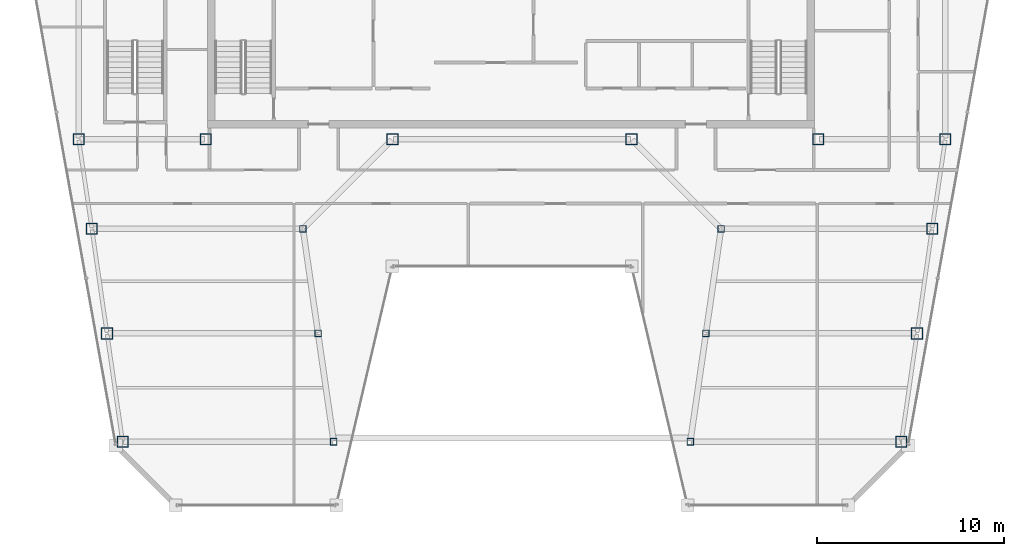
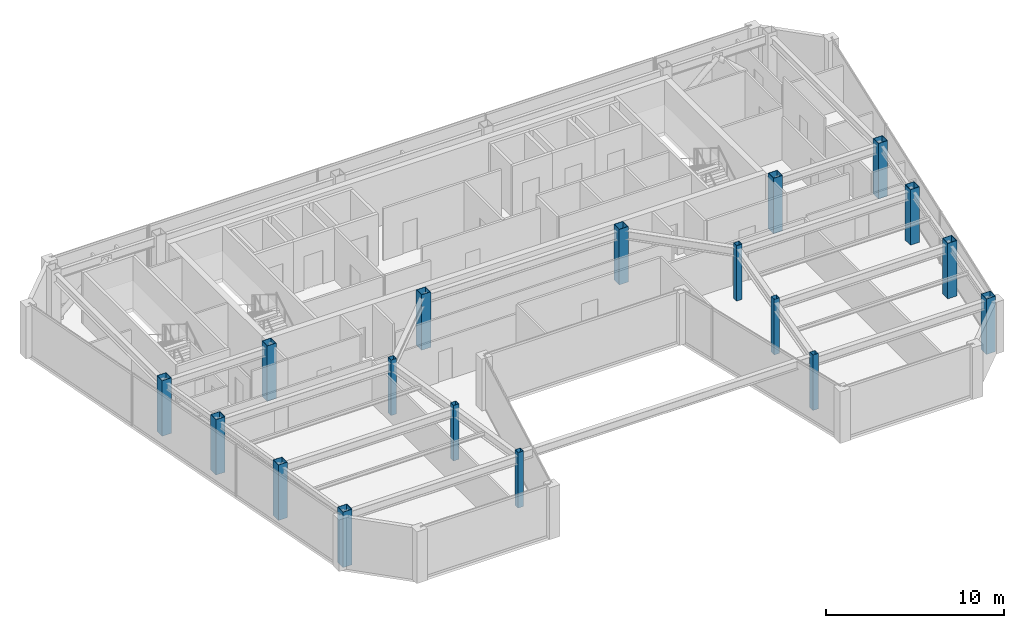
# One storey, part 1 of 32: 18 columns.
"""IFC4 building model written with IfcOpenShell, lengths in metres."""

from ifc_helpers import new_model, si_unit, direction, frame, origin, origin_2d, place, context, subcontext, project, spatial, hollow_rectangle, extrude, material, material_profile, profile_set, type_object, element, save


model = new_model("IFC4")

# Units and contexts
model_context = context("Model", 3, precision=1e-05, world=origin(), true_north=direction((0.0, 1.0)))
body_context = subcontext(model_context, "Body", "Model", "MODEL_VIEW")
ifc_project = project(units=[si_unit("LENGTHUNIT", "METRE"), si_unit("AREAUNIT", "SQUARE_METRE"), si_unit("VOLUMEUNIT", "CUBIC_METRE"), si_unit("PLANEANGLEUNIT", "RADIAN"), si_unit("MASSUNIT", "GRAM", prefix="KILO")], contexts=[model_context])

# Site, building, storey
site_placement = place(None, origin())
site = spatial("IfcSite", under=ifc_project, at=site_placement, CompositionType="ELEMENT")
building_placement = place(site_placement, origin())
building = spatial("IfcBuilding", under=site, at=building_placement, Name="Saevonmaru Cultural Tower", CompositionType="ELEMENT")
storey_placement = place(building_placement, frame((0.0, 0.0, 264.800048828125)))
storey = spatial("IfcBuildingStorey", under=building, at=storey_placement, Name="L62", CompositionType="ELEMENT", Elevation=264.800048828125)

# Columns
ifc_material = material(Name="Steel SM355", Category="steel")
ifc_material_profile_1 = material_profile(ifc_material, hollow_rectangle(XDim=0.60009765625, YDim=0.60009765625, WallThickness=0.028076171875, at=origin_2d()), Name="BOX-600x600x28")
ifc_profile_set_1 = profile_set([ifc_material_profile_1], Name="Steel SM355")
column_type_1 = type_object("IfcColumnType", Name="COL-BOX-600", PredefinedType="COLUMN", material=ifc_profile_set_1)
for number, where, z_axis, x_axis, name in (
    (1, (6.800048828125, 42.39990234375, 0.0), (0.0, 0.0, 1.0), (1.0, 0.0, 0.0), "L62 Column TC-S1C"),
    (2, (13.60009765625, 42.39990234375, 0.0), (0.0, 0.0, 1.0), (1.0, 0.0, 0.0), "L62 Column TC-S2C"),
    (3, (23.60009765625, 42.39990234375, 0.0), (0.0, 0.0, 1.0), (1.0, 0.0, 0.0), "L62 Column TC-S3C"),
    (4, (36.39990234375, 42.39990234375, 0.0), (0.0, 0.0, 1.0), (1.0, 0.0, 0.0), "L62 Column TC-S4C"),
    (5, (46.39990234375, 42.39990234375, 0.0), (0.0, 0.0, 1.0), (1.0, 0.0, 0.0), "L62 Column TC-S5C"),
    (6, (53.199951171875, 42.39990234375, 0.0), (0.0, 0.0, 1.0), (1.0, 0.0, 0.0), "L62 Column TC-S6C"),
    (7, (9.154052734375, 26.199951171875, 0.0), (0.0, 0.0, 1.0), (1.0, 0.0, 0.0), "L62 Column TC-WO-Y262"),
    (8, (50.845947265625, 26.199951171875, 0.0), (0.0, 0.0, 1.0), (1.0, 0.0, 0.0), "L62 Column TC-EO-Y262"),
    (9, (8.31689453125, 32.0, 0.0), (0.0, 0.0, 1.0), (1.0, 0.0, 0.0), "L62 Column TC-WO-Y320"),
    (10, (51.68310546875, 32.0, 0.0), (0.0, 0.0, 1.0), (1.0, 0.0, 0.0), "L62 Column TC-EO-Y320"),
    (11, (7.508056640625, 37.60009765625, 0.0), (0.0, 0.0, 1.0), (1.0, 0.0, 0.0), "L62 Column TC-WO-Y376"),
    (12, (52.491943359375, 37.60009765625, 0.0), (0.0, 0.0, 1.0), (1.0, 0.0, 0.0), "L62 Column TC-EO-Y376"),
):
    element("IfcColumn", number, at=place(storey_placement, frame(where, z_axis=z_axis, x_axis=x_axis)), inside=storey, type_object=column_type_1, Name=name, PredefinedType="COLUMN", context=body_context, shape_type="SweptSolid", body=[
        extrude(hollow_rectangle(XDim=0.60009765625, YDim=0.60009765625, WallThickness=0.028076171875, at=origin_2d()), origin(), (0.0, 0.0, 1.0), 3.800048828125),
    ])
ifc_material_profile_2 = material_profile(ifc_material, hollow_rectangle(XDim=0.35009765625, YDim=0.35009765625, WallThickness=0.01611328125, at=origin_2d()), Name="SHS-350x350x16")
ifc_profile_set_2 = profile_set([ifc_material_profile_2], Name="Steel SM355")
column_type_2 = type_object("IfcColumnType", Name="COL-SHS-350", PredefinedType="COLUMN", material=ifc_profile_set_2)
for number, where, z_axis, x_axis, name in (
    (13, (20.4541015625, 26.199951171875, 0.0), (0.0, 0.0, 1.0), (1.0, 0.0, 0.0), "L62 Column TC-WI-Y262"),
    (14, (39.5458984375, 26.199951171875, 0.0), (0.0, 0.0, 1.0), (1.0, 0.0, 0.0), "L62 Column TC-EI-Y262"),
    (15, (19.616943359375, 32.0, 0.0), (0.0, 0.0, 1.0), (1.0, 0.0, 0.0), "L62 Column TC-WI-Y320"),
    (16, (40.383056640625, 32.0, 0.0), (0.0, 0.0, 1.0), (1.0, 0.0, 0.0), "L62 Column TC-EI-Y320"),
    (17, (18.80810546875, 37.60009765625, 0.0), (0.0, 0.0, 1.0), (1.0, 0.0, 0.0), "L62 Column TC-WI-Y376"),
    (18, (41.19189453125, 37.60009765625, 0.0), (0.0, 0.0, 1.0), (1.0, 0.0, 0.0), "L62 Column TC-EI-Y376"),
):
    element("IfcColumn", number, at=place(storey_placement, frame(where, z_axis=z_axis, x_axis=x_axis)), inside=storey, type_object=column_type_2, Name=name, PredefinedType="COLUMN", context=body_context, shape_type="SweptSolid", body=[
        extrude(hollow_rectangle(XDim=0.35009765625, YDim=0.35009765625, WallThickness=0.01611328125, at=origin_2d()), origin(), (0.0, 0.0, 1.0), 3.800048828125),
    ])

save(model, "model.ifc")
